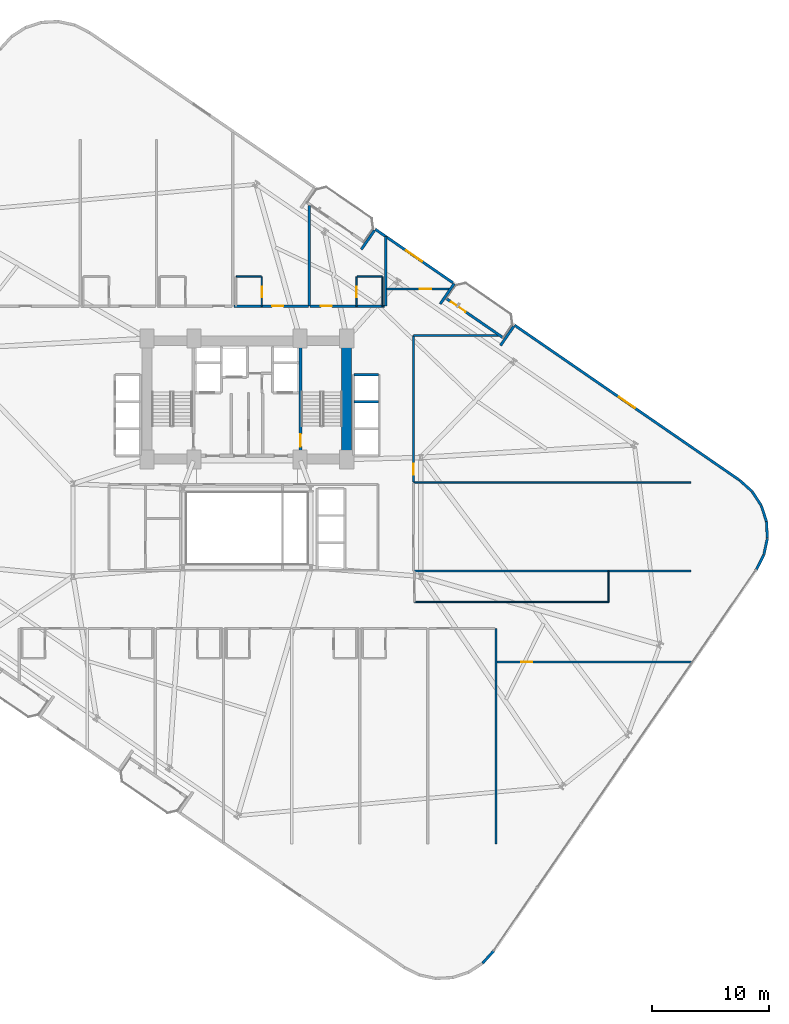
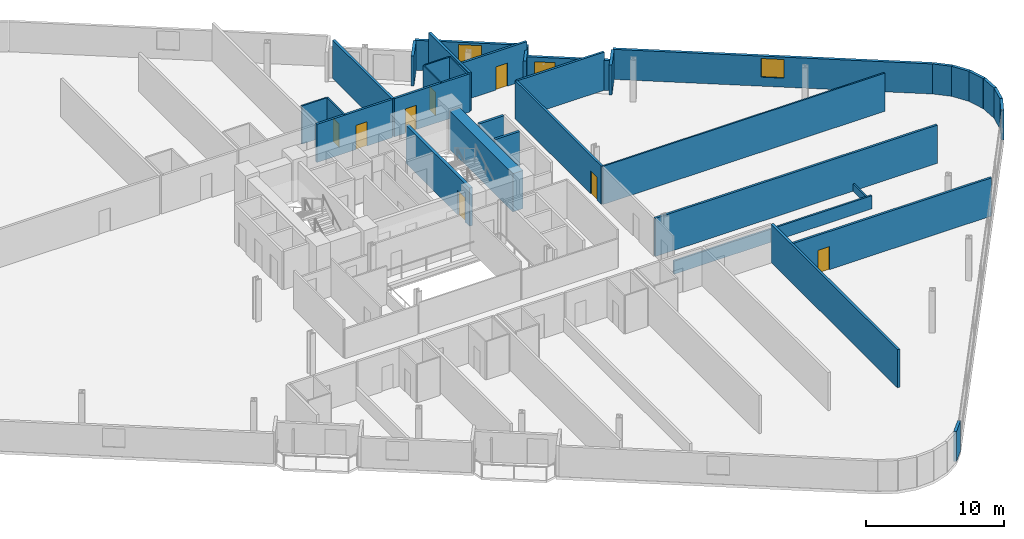
# One storey, part 20 of 24: 35 walls, 9 doors, 2 windows, 11 openings.
"""IFC4 building model written with IfcOpenShell, lengths in metres."""

from ifc_helpers import new_model, si_unit, direction, frame, frame_2d, origin, place, context, subcontext, project, spatial, rectangle, extrude, material, layer, layer_set, type_object, element, fill, save


model = new_model("IFC4")

# Units and contexts
model_context = context("Model", 3, precision=1e-05, world=origin(), true_north=direction((0.0, 1.0)))
body_context = subcontext(model_context, "Body", "Model", "MODEL_VIEW")
ifc_project = project(units=[si_unit("LENGTHUNIT", "METRE"), si_unit("AREAUNIT", "SQUARE_METRE"), si_unit("VOLUMEUNIT", "CUBIC_METRE"), si_unit("PLANEANGLEUNIT", "RADIAN"), si_unit("MASSUNIT", "GRAM", prefix="KILO")], contexts=[model_context])

# Site, building, storey
site_placement = place(None, origin())
site = spatial("IfcSite", under=ifc_project, at=site_placement, CompositionType="ELEMENT")
building_placement = place(site_placement, origin())
building = spatial("IfcBuilding", under=site, at=building_placement, Name="Varnelok Gate Tower", CompositionType="ELEMENT")
storey_placement = place(building_placement, frame((0.0, 0.0, 67.699951171875)))
storey = spatial("IfcBuildingStorey", under=building, at=storey_placement, Name="L16", CompositionType="ELEMENT", Elevation=67.699951171875)

# Wall, opening, door
ifc_material_1 = material(Name="Concrete C45/55", Category="concrete")
ifc_layer_1 = layer(ifc_material_1, 0.219970703125)
ifc_layer_set_1 = layer_set([ifc_layer_1], Name="Concrete C45/55")
wall_type_1 = type_object("IfcWallType", Name="EW-BALC-220", PredefinedType="SOLIDWALL", material=ifc_layer_set_1)
wall_1_placement = place(storey_placement, frame((56.131591796875, 42.476318359375, 0.0), z_axis=(0.0, 0.0, 1.0), x_axis=(0.823534636215, -0.567265989598, 0.0)))
wall_1 = element("IfcWall", 1, at=wall_1_placement, inside=storey, type_object=wall_type_1, Name="L16 North Terrace Envelope Wall 4", PredefinedType="SOLIDWALL", context=body_context, shape_type="SweptSolid", body=[
    extrude(rectangle(XDim=6.0, YDim=0.219970703125, at=frame_2d((3.0, 0.0))), origin(), (0.0, 0.0, 1.0), 2.66015625),
])
opening_1_placement = place(wall_1_placement, frame((0.548095703125, 0.0, 0.0)))
opening_1 = element("IfcOpeningElement", 2, at=opening_1_placement, cuts=wall_1, Name="Opening BD-1", PredefinedType="OPENING", context=body_context, shape_type="SweptSolid", body=[
    extrude(rectangle(XDim=1.5, YDim=2.25, at=frame_2d((0.75, 1.125))), frame((0.0, 0.119873046875, 0.0), z_axis=(0.0, -1.0, 0.0), x_axis=(1.0, 0.0, 0.0)), (0.0, 0.0, 1.0), 0.239990234375),
])
ifc_material_2 = material(Name="Anodized Aluminum Alloy 6063-T6", Category="aluminium")
door_type_1 = type_object("IfcDoorType", Name="DR-EXT-BALC1500", OperationType="NOTDEFINED", PredefinedType="DOOR", material=ifc_material_2)
door_1_placement = place(opening_1_placement, origin())
door_1 = element("IfcDoor", 3, at=door_1_placement, inside=storey, type_object=door_type_1, Name="L16 North Balcony Glazed Door 4", OperationType="SINGLE_SWING_LEFT", OverallHeight=2.25, OverallWidth=1.5, PredefinedType="DOOR", context=body_context, shape_type="SweptSolid", body=[
    extrude(rectangle(XDim=1.5, YDim=2.25, at=frame_2d((0.75, 1.125))), frame((0.0, 0.02490234375, 0.0), z_axis=(0.0, -1.0, 0.0), x_axis=(1.0, 0.0, 0.0)), (0.0, 0.0, 1.0), 0.050048828125),
])
fill(opening_1, door_1)

# Walls
wall_2_placement = place(storey_placement, frame((59.26611328125, -14.13525390625, 0.0), z_axis=(0.0, 0.0, 1.0), x_axis=(0.669866433955, 0.742481623113, 0.0)))
element("IfcWall", 4, at=wall_2_placement, inside=storey, type_object=wall_type_1, Name="L16 Perimeter Facade Closure Wall 19", PredefinedType="SOLIDWALL", context=body_context, shape_type="SweptSolid", body=[
    extrude(rectangle(XDim=1.4052734375, YDim=0.219970703125, at=frame_2d((0.70263671875, 0.0))), origin(), (0.0, 0.0, 1.0), 2.66015625),
])
wall_3_placement = place(storey_placement, frame((82.55810546875, 19.355224609375, 0.0), z_axis=(0.0, 0.0, 1.0), x_axis=(0.454777156549, 0.890605264908, 0.0)))
element("IfcWall", 5, at=wall_3_placement, inside=storey, type_object=wall_type_1, Name="L16 Perimeter Facade Closure Wall 20", PredefinedType="SOLIDWALL", context=body_context, shape_type="SweptSolid", body=[
    extrude(rectangle(XDim=1.43017578125, YDim=0.219970703125, at=frame_2d((0.715087890625, 0.0))), origin(), (0.0, 0.0, 1.0), 2.66015625),
])
wall_4_placement = place(storey_placement, frame((83.2138671875, 20.653564453125, 0.0), z_axis=(0.0, 0.0, 1.0), x_axis=(0.208829011645, 0.977952168511, 0.0)))
element("IfcWall", 6, at=wall_4_placement, inside=storey, type_object=wall_type_1, Name="L16 Perimeter Facade Closure Wall 21", PredefinedType="SOLIDWALL", context=body_context, shape_type="SweptSolid", body=[
    extrude(rectangle(XDim=1.4052734375, YDim=0.219970703125, at=frame_2d((0.70263671875, 0.0))), origin(), (0.0, 0.0, 1.0), 2.66015625),
])
wall_5_placement = place(storey_placement, frame((83.506103515625, 22.052734375, 0.0), z_axis=(0.0, 0.0, 1.0), x_axis=(-0.051245849735, 0.998686068234, 0.0)))
element("IfcWall", 7, at=wall_5_placement, inside=storey, type_object=wall_type_1, Name="L16 Perimeter Facade Closure Wall 22", PredefinedType="SOLIDWALL", context=body_context, shape_type="SweptSolid", body=[
    extrude(rectangle(XDim=1.405517578125, YDim=0.219970703125, at=frame_2d((0.70263671875, 0.0))), origin(), (0.0, 0.0, 1.0), 2.66015625),
])
for number, where, z_axis, x_axis, name in (
    (8, (83.426513671875, 23.47998046875, 0.0), (0.0, 0.0, 1.0), (-0.308033059501, 0.951375653596, 0.0), "L16 Perimeter Facade Closure Wall 23"),
    (9, (82.97998046875, 24.837890625, 0.0), (0.0, 0.0, 1.0), (-0.543748195851, 0.839248413468, 0.0), "L16 Perimeter Facade Closure Wall 24"),
):
    element("IfcWall", number, at=place(storey_placement, frame(where, z_axis=z_axis, x_axis=x_axis)), inside=storey, type_object=wall_type_1, Name=name, PredefinedType="SOLIDWALL", context=body_context, shape_type="SweptSolid", body=[
        extrude(rectangle(XDim=1.4052734375, YDim=0.219970703125, at=frame_2d((0.70263671875, 0.0))), origin(), (0.0, 0.0, 1.0), 2.66015625),
    ])
wall_6_placement = place(storey_placement, frame((82.197265625, 26.033935546875, 0.0), z_axis=(0.0, 0.0, 1.0), x_axis=(-0.742374254638, 0.669985422268, 0.0)))
element("IfcWall", 10, at=wall_6_placement, inside=storey, type_object=wall_type_1, Name="L16 Perimeter Facade Closure Wall 25", PredefinedType="SOLIDWALL", context=body_context, shape_type="SweptSolid", body=[
    extrude(rectangle(XDim=1.4130859375, YDim=0.219970703125, at=frame_2d((0.70654296875, 0.0))), origin(), (0.0, 0.0, 1.0), 2.66015625),
])

# Wall, opening, window
wall_7_placement = place(storey_placement, frame((81.12744140625, 26.994873046875, 0.0), z_axis=(0.0, 0.0, 1.0), x_axis=(-0.823530169317, 0.567272474411, 0.0)))
wall_7 = element("IfcWall", 11, at=wall_7_placement, inside=storey, type_object=wall_type_1, Name="L16 Perimeter Facade Closure Wall 26", PredefinedType="SOLIDWALL", context=body_context, shape_type="SweptSolid", body=[
    extrude(rectangle(XDim=23.247314453125, YDim=0.219970703125, at=frame_2d((11.62353515625, 0.0))), origin(), (0.0, 0.0, 1.0), 2.66015625),
])
opening_2_placement = place(wall_7_placement, frame((10.798583984375, 0.0, 0.800048828125)))
opening_2 = element("IfcOpeningElement", 12, at=opening_2_placement, cuts=wall_7, Name="Opening WN3", PredefinedType="OPENING", context=body_context, shape_type="SweptSolid", body=[
    extrude(rectangle(XDim=1.64990234375, YDim=1.64990234375, at=frame_2d((0.824951171875, 0.824951171875))), frame((0.0, 0.119873046875, 0.0), z_axis=(0.0, -1.0, 0.0), x_axis=(1.0, 0.0, 0.0)), (0.0, 0.0, 1.0), 0.239990234375),
])
ifc_material_3 = material(Name="Low-E Laminated Double Glazing IGU", Category="glass")
window_type = type_object("IfcWindowType", Name="WN-HTL-1650", PartitioningType="SINGLE_PANEL", PredefinedType="WINDOW", material=ifc_material_3)
window_1_placement = place(opening_2_placement, origin())
window_1 = element("IfcWindow", 13, at=window_1_placement, inside=storey, type_object=window_type, Name="L16 Perimeter Vision Window 26", OverallHeight=1.64990234375, OverallWidth=1.64990234375, PartitioningType="SINGLE_PANEL", PredefinedType="WINDOW", context=body_context, shape_type="SweptSolid", body=[
    extrude(rectangle(XDim=1.64990234375, YDim=1.64990234375, at=frame_2d((0.824951171875, 0.824951171875))), frame((0.0, 0.030029296875, 0.0), z_axis=(0.0, -1.0, 0.0), x_axis=(1.0, 0.0, 0.0)), (0.0, 0.0, 1.0), 0.06005859375),
])
fill(opening_2, window_1)

# Walls
wall_8_placement = place(storey_placement, frame((61.91162109375, 40.079345703125, 0.0), z_axis=(0.0, 0.0, 1.0), x_axis=(-0.567189720735, -0.82358716642, 0.0)))
element("IfcWall", 14, at=wall_8_placement, inside=storey, type_object=wall_type_1, Name="L16 Perimeter Facade Closure Wall 27", PredefinedType="SOLIDWALL", context=body_context, shape_type="SweptSolid", body=[
    extrude(rectangle(XDim=1.974853515625, YDim=0.219970703125, at=frame_2d((0.9873046875, 0.0))), origin(), (0.0, 0.0, 1.0), 2.66015625),
])
wall_9_placement = place(storey_placement, frame((55.652587890625, 41.99267578125, 0.0), z_axis=(0.0, 0.0, 1.0), x_axis=(0.567273696173, 0.823529327729, 0.0)))
element("IfcWall", 15, at=wall_9_placement, inside=storey, type_object=wall_type_1, Name="L16 Perimeter Facade Closure Wall 28", PredefinedType="SOLIDWALL", context=body_context, shape_type="SweptSolid", body=[
    extrude(rectangle(XDim=2.099853515625, YDim=0.219970703125, at=frame_2d((1.0498046875, 0.0))), origin(), (0.0, 0.0, 1.0), 2.66015625),
])

# Wall, opening, window
wall_10_placement = place(storey_placement, frame((56.740966796875, 43.79296875, 0.0), z_axis=(0.0, 0.0, 1.0), x_axis=(-0.823530942962, 0.56727135128, 0.0)))
wall_10 = element("IfcWall", 16, at=wall_10_placement, inside=storey, type_object=wall_type_1, Name="L16 Perimeter Facade Closure Wall 29", PredefinedType="SOLIDWALL", context=body_context, shape_type="SweptSolid", body=[
    extrude(rectangle(XDim=8.03515625, YDim=0.219970703125, at=frame_2d((4.017578125, 0.0))), origin(), (0.0, 0.0, 1.0), 2.66015625),
])
opening_3_placement = place(wall_10_placement, frame((3.1923828125, 0.0, 0.800048828125)))
opening_3 = element("IfcOpeningElement", 17, at=opening_3_placement, cuts=wall_10, Name="Opening WN3", PredefinedType="OPENING", context=body_context, shape_type="SweptSolid", body=[
    extrude(rectangle(XDim=1.64990234375, YDim=1.64990234375, at=frame_2d((0.824951171875, 0.824951171875))), frame((0.0, 0.119873046875, 0.0), z_axis=(0.0, -1.0, 0.0), x_axis=(1.0, 0.0, 0.0)), (0.0, 0.0, 1.0), 0.239990234375),
])
window_2_placement = place(opening_3_placement, origin())
window_2 = element("IfcWindow", 18, at=window_2_placement, inside=storey, type_object=window_type, Name="L16 Perimeter Vision Window 29", OverallHeight=1.64990234375, OverallWidth=1.64990234375, PartitioningType="SINGLE_PANEL", PredefinedType="WINDOW", context=body_context, shape_type="SweptSolid", body=[
    extrude(rectangle(XDim=1.64990234375, YDim=1.64990234375, at=frame_2d((0.824951171875, 0.824951171875))), frame((0.0, 0.030029296875, 0.0), z_axis=(0.0, -1.0, 0.0), x_axis=(1.0, 0.0, 0.0)), (0.0, 0.0, 1.0), 0.06005859375),
])
fill(opening_3, window_2)

# Wall
wall_11_placement = place(storey_placement, frame((50.052978515625, 48.248046875, 0.0), z_axis=(0.0, 0.0, 1.0), x_axis=(-0.567273565974, -0.823529417415, 0.0)))
element("IfcWall", 19, at=wall_11_placement, inside=storey, type_object=wall_type_1, Name="L16 Perimeter Facade Closure Wall 30", PredefinedType="SOLIDWALL", context=body_context, shape_type="SweptSolid", body=[
    extrude(rectangle(XDim=1.97509765625, YDim=0.219970703125, at=frame_2d((0.987548828125, 0.0))), origin(), (0.0, 0.0, 1.0), 2.66015625),
])

# Wall, opening, door
ifc_material_4 = material(Name="Gypsum Plasterboard Acoustic Partition", Category="gypsum")
ifc_layer_2 = layer(ifc_material_4, 0.179931640625)
ifc_layer_set_2 = layer_set([ifc_layer_2], Name="Gypsum Plasterboard Acoustic Partition")
wall_type_2 = type_object("IfcWallType", Name="PW-CORR-180", PredefinedType="PARTITIONING", material=ifc_layer_set_2)
wall_12_placement = place(storey_placement, frame((60.47998046875, 11.5, 0.0), z_axis=(0.0, 0.0, 1.0), x_axis=(1.0, 0.0, 0.0)))
wall_12 = element("IfcWall", 20, at=wall_12_placement, inside=storey, type_object=wall_type_2, Name="Interior Partition", PredefinedType="PARTITIONING", context=body_context, shape_type="SweptSolid", body=[
    extrude(rectangle(XDim=16.60400390625, YDim=0.179931640625, at=frame_2d((8.302001953125, 0.0))), origin(), (0.0, 0.0, 1.0), 3.380126953125),
])
opening_4_placement = place(wall_12_placement, frame((2.06494140625, 0.0, 0.0)))
opening_4 = element("IfcOpeningElement", 21, at=opening_4_placement, cuts=wall_12, Name="Opening D-I2", PredefinedType="OPENING", context=body_context, shape_type="SweptSolid", body=[
    extrude(rectangle(XDim=0.949951171875, YDim=2.050048828125, at=frame_2d((0.47509765625, 1.02490234375))), frame((0.0, 0.099853515625, 0.0), z_axis=(0.0, -1.0, 0.0), x_axis=(1.0, 0.0, 0.0)), (0.0, 0.0, 1.0), 0.199951171875),
])
ifc_material_5 = material(Name="Engineered Hardwood Timber", Category="wood")
door_type_2 = type_object("IfcDoorType", Name="DR-INT-950", OperationType="NOTDEFINED", PredefinedType="DOOR", material=ifc_material_5)
door_2_placement = place(opening_4_placement, origin())
door_2 = element("IfcDoor", 22, at=door_2_placement, inside=storey, type_object=door_type_2, Name="L16 Hotel Business Center Door", OperationType="SINGLE_SWING_LEFT", OverallHeight=2.050048828125, OverallWidth=0.949951171875, PredefinedType="DOOR", context=body_context, shape_type="SweptSolid", body=[
    extrude(rectangle(XDim=0.949951171875, YDim=2.050048828125, at=frame_2d((0.47509765625, 1.02490234375))), frame((0.0, 0.02490234375, 0.0), z_axis=(0.0, -1.0, 0.0), x_axis=(1.0, 0.0, 0.0)), (0.0, 0.0, 1.0), 0.050048828125),
])
fill(opening_4, door_2)

wall_13_placement = place(storey_placement, frame((38.080078125, 41.800048828125, 0.0), z_axis=(0.0, 0.0, 1.0), x_axis=(1.0, 0.0, 0.0)))
wall_13 = element("IfcWall", 23, at=wall_13_placement, inside=storey, type_object=wall_type_2, Name="Interior Partition", PredefinedType="PARTITIONING", context=body_context, shape_type="SweptSolid", body=[
    extrude(rectangle(XDim=6.33984375, YDim=0.179931640625, at=frame_2d((3.169921875, 0.0))), origin(), (0.0, 0.0, 1.0), 3.380126953125),
])
opening_5_placement = place(wall_13_placement, frame((3.273681640625, 0.0, 0.0)))
opening_5 = element("IfcOpeningElement", 24, at=opening_5_placement, cuts=wall_13, Name="Opening D-HT", PredefinedType="OPENING", context=body_context, shape_type="SweptSolid", body=[
    extrude(rectangle(XDim=0.949951171875, YDim=2.14990234375, at=frame_2d((0.47509765625, 1.074951171875))), frame((0.0, 0.099853515625, 0.0), z_axis=(0.0, -1.0, 0.0), x_axis=(1.0, 0.0, 0.0)), (0.0, 0.0, 1.0), 0.199951171875),
])
door_type_3 = type_object("IfcDoorType", Name="DR-HTL-950", OperationType="NOTDEFINED", PredefinedType="DOOR", material=ifc_material_5)
door_3_placement = place(opening_5_placement, origin())
door_3 = element("IfcDoor", 25, at=door_3_placement, inside=storey, type_object=door_type_3, Name="L16 Guest Room 14 Entrance Door", OperationType="SINGLE_SWING_LEFT", OverallHeight=2.14990234375, OverallWidth=0.949951171875, PredefinedType="DOOR", context=body_context, shape_type="SweptSolid", body=[
    extrude(rectangle(XDim=0.949951171875, YDim=2.14990234375, at=frame_2d((0.47509765625, 1.074951171875))), frame((0.0, 0.02490234375, 0.0), z_axis=(0.0, -1.0, 0.0), x_axis=(1.0, 0.0, 0.0)), (0.0, 0.0, 1.0), 0.050048828125),
])
fill(opening_5, door_3)

wall_14_placement = place(storey_placement, frame((44.580078125, 41.800048828125, 0.0), z_axis=(0.0, 0.0, 1.0), x_axis=(1.0, 0.0, 0.0)))
wall_14 = element("IfcWall", 26, at=wall_14_placement, inside=storey, type_object=wall_type_2, Name="Interior Partition", PredefinedType="PARTITIONING", context=body_context, shape_type="SweptSolid", body=[
    extrude(rectangle(XDim=6.33984375, YDim=0.179931640625, at=frame_2d((3.169921875, 0.0))), origin(), (0.0, 0.0, 1.0), 3.380126953125),
])
opening_6_placement = place(wall_14_placement, frame((0.90966796875, 0.0, 0.0)))
opening_6 = element("IfcOpeningElement", 27, at=opening_6_placement, cuts=wall_14, Name="Opening D-HT", PredefinedType="OPENING", context=body_context, shape_type="SweptSolid", body=[
    extrude(rectangle(XDim=0.949951171875, YDim=2.14990234375, at=frame_2d((0.47509765625, 1.074951171875))), frame((0.0, 0.099853515625, 0.0), z_axis=(0.0, -1.0, 0.0), x_axis=(1.0, 0.0, 0.0)), (0.0, 0.0, 1.0), 0.199951171875),
])
door_4_placement = place(opening_6_placement, origin())
door_4 = element("IfcDoor", 28, at=door_4_placement, inside=storey, type_object=door_type_3, Name="L16 Guest Room 15 Entrance Door", OperationType="SINGLE_SWING_RIGHT", OverallHeight=2.14990234375, OverallWidth=0.949951171875, PredefinedType="DOOR", context=body_context, shape_type="SweptSolid", body=[
    extrude(rectangle(XDim=0.949951171875, YDim=2.14990234375, at=frame_2d((0.47509765625, 1.074951171875))), frame((0.0, 0.02490234375, 0.0), z_axis=(0.0, -1.0, 0.0), x_axis=(1.0, 0.0, 0.0)), (0.0, 0.0, 1.0), 0.050048828125),
])
fill(opening_6, door_4)

wall_15_placement = place(storey_placement, frame((51.080078125, 43.25, 0.0), z_axis=(0.0, 0.0, 1.0), x_axis=(1.0, 0.0, 0.0)))
wall_15 = element("IfcWall", 29, at=wall_15_placement, inside=storey, type_object=wall_type_2, Name="Interior Partition", PredefinedType="PARTITIONING", context=body_context, shape_type="SweptSolid", body=[
    extrude(rectangle(XDim=5.414306640625, YDim=0.179931640625, at=frame_2d((2.70703125, 0.0))), origin(), (0.0, 0.0, 1.0), 3.380126953125),
])
opening_7_placement = place(wall_15_placement, frame((2.844482421875, 0.0, 0.0)))
opening_7 = element("IfcOpeningElement", 30, at=opening_7_placement, cuts=wall_15, Name="Opening D-I2", PredefinedType="OPENING", context=body_context, shape_type="SweptSolid", body=[
    extrude(rectangle(XDim=0.949951171875, YDim=2.050048828125, at=frame_2d((0.47509765625, 1.02490234375))), frame((0.0, 0.099853515625, 0.0), z_axis=(0.0, -1.0, 0.0), x_axis=(1.0, 0.0, 0.0)), (0.0, 0.0, 1.0), 0.199951171875),
])
door_5_placement = place(opening_7_placement, origin())
door_5 = element("IfcDoor", 31, at=door_5_placement, inside=storey, type_object=door_type_2, Name="L16 Children Playroom Door", OperationType="SINGLE_SWING_LEFT", OverallHeight=2.050048828125, OverallWidth=0.949951171875, PredefinedType="DOOR", context=body_context, shape_type="SweptSolid", body=[
    extrude(rectangle(XDim=0.949951171875, YDim=2.050048828125, at=frame_2d((0.47509765625, 1.02490234375))), frame((0.0, 0.02490234375, 0.0), z_axis=(0.0, -1.0, 0.0), x_axis=(1.0, 0.0, 0.0)), (0.0, 0.0, 1.0), 0.050048828125),
])
fill(opening_7, door_5)

# Wall
wall_16_placement = place(storey_placement, frame((53.389892578125, 19.239990234375, 0.0), z_axis=(0.0, 0.0, 1.0), x_axis=(1.0, 0.0, 0.0)))
element("IfcWall", 32, at=wall_16_placement, inside=storey, type_object=wall_type_2, Name="Interior Partition", PredefinedType="PARTITIONING", context=body_context, shape_type="SweptSolid", body=[
    extrude(rectangle(XDim=23.610107421875, YDim=0.179931640625, at=frame_2d((11.80517578125, 0.0))), origin(), (0.0, 0.0, 1.0), 3.380126953125),
])

# Wall, opening, door
wall_17_placement = place(storey_placement, frame((53.389892578125, 26.840087890625, 0.0), z_axis=(0.0, 0.0, 1.0), x_axis=(0.0, 1.0, 0.0)))
wall_17 = element("IfcWall", 33, at=wall_17_placement, inside=storey, type_object=wall_type_2, Name="Interior Partition", PredefinedType="PARTITIONING", context=body_context, shape_type="SweptSolid", body=[
    extrude(rectangle(XDim=12.4599609375, YDim=0.179931640625, at=frame_2d((6.22998046875, 0.0))), origin(), (0.0, 0.0, 1.0), 3.380126953125),
])
opening_8_placement = place(wall_17_placement, frame((0.6181640625, 0.0, 0.0)))
opening_8 = element("IfcOpeningElement", 34, at=opening_8_placement, cuts=wall_17, Name="Opening D-I3", PredefinedType="OPENING", context=body_context, shape_type="SweptSolid", body=[
    extrude(rectangle(XDim=0.919921875, YDim=2.050048828125, at=frame_2d((0.4599609375, 1.02490234375))), frame((0.0, 0.099853515625, 0.0), z_axis=(0.0, -1.0, 0.0), x_axis=(1.0, 0.0, 0.0)), (0.0, 0.0, 1.0), 0.199951171875),
])
door_type_4 = type_object("IfcDoorType", Name="DR-INT-920", OperationType="NOTDEFINED", PredefinedType="DOOR", material=ifc_material_5)
door_6_placement = place(opening_8_placement, origin())
door_6 = element("IfcDoor", 35, at=door_6_placement, inside=storey, type_object=door_type_4, Name="L16 East Playroom Door", OperationType="SINGLE_SWING_LEFT", OverallHeight=2.050048828125, OverallWidth=0.919921875, PredefinedType="DOOR", context=body_context, shape_type="SweptSolid", body=[
    extrude(rectangle(XDim=0.919921875, YDim=2.050048828125, at=frame_2d((0.4599609375, 1.02490234375))), frame((0.0, 0.02490234375, 0.0), z_axis=(0.0, -1.0, 0.0), x_axis=(1.0, 0.0, 0.0)), (0.0, 0.0, 1.0), 0.050048828125),
])
fill(opening_8, door_6)

# Walls
wall_18_placement = place(storey_placement, frame((53.389892578125, 39.300048828125, 0.0), z_axis=(0.0, 0.0, 1.0), x_axis=(1.0, 0.0, 0.0)))
element("IfcWall", 36, at=wall_18_placement, inside=storey, type_object=wall_type_2, Name="Interior Partition", PredefinedType="PARTITIONING", context=body_context, shape_type="SweptSolid", body=[
    extrude(rectangle(XDim=7.31298828125, YDim=0.179931640625, at=frame_2d((3.656494140625, 0.0))), origin(), (0.0, 0.0, 1.0), 3.380126953125),
])
ifc_layer_3 = layer(ifc_material_4, 0.114990234375)
ifc_layer_set_3 = layer_set([ifc_layer_3], Name="Gypsum Plasterboard Acoustic Partition")
wall_type_3 = type_object("IfcWallType", Name="PW-ENS-125", PredefinedType="PARTITIONING", material=ifc_layer_set_3)
wall_19_placement = place(storey_placement, frame((38.300048828125, 44.320068359375, 0.0), z_axis=(0.0, 0.0, 1.0), x_axis=(1.0, 0.0, 0.0)))
element("IfcWall", 37, at=wall_19_placement, inside=storey, type_object=wall_type_3, Name="Interior Partition", PredefinedType="PARTITIONING", context=body_context, shape_type="SweptSolid", body=[
    extrude(rectangle(XDim=2.1240234375, YDim=0.114990234375, at=frame_2d((1.06201171875, 0.0))), origin(), (0.0, 0.0, 1.0), 3.380126953125),
])

# Wall, opening, door
wall_20_placement = place(storey_placement, frame((40.464111328125, 41.800048828125, 0.0), z_axis=(0.0, 0.0, 1.0), x_axis=(0.0, 1.0, 0.0)))
wall_20 = element("IfcWall", 38, at=wall_20_placement, inside=storey, type_object=wall_type_3, Name="Interior Partition", PredefinedType="PARTITIONING", context=body_context, shape_type="SweptSolid", body=[
    extrude(rectangle(XDim=2.52001953125, YDim=0.114990234375, at=frame_2d((1.260009765625, 0.0))), origin(), (0.0, 0.0, 1.0), 3.380126953125),
])
opening_9_placement = place(wall_20_placement, frame((0.760009765625, 0.0, 0.0)))
opening_9 = element("IfcOpeningElement", 39, at=opening_9_placement, cuts=wall_20, Name="Opening D-WC", PredefinedType="OPENING", context=body_context, shape_type="SweptSolid", body=[
    extrude(rectangle(XDim=0.89990234375, YDim=2.050048828125, at=frame_2d((0.449951171875, 1.02490234375))), frame((0.0, 0.0673828125, 0.0), z_axis=(0.0, -1.0, 0.0), x_axis=(1.0, 0.0, 0.0)), (0.0, 0.0, 1.0), 0.135009765625),
])
door_type_5 = type_object("IfcDoorType", Name="DR-BATH-900", OperationType="NOTDEFINED", PredefinedType="DOOR", material=ifc_material_5)
door_7_placement = place(opening_9_placement, origin())
door_7 = element("IfcDoor", 40, at=door_7_placement, inside=storey, type_object=door_type_5, Name="L16 North En-Suite 14 Door", OperationType="SINGLE_SWING_RIGHT", OverallHeight=2.050048828125, OverallWidth=0.89990234375, PredefinedType="DOOR", context=body_context, shape_type="SweptSolid", body=[
    extrude(rectangle(XDim=0.89990234375, YDim=2.050048828125, at=frame_2d((0.449951171875, 1.02490234375))), frame((0.0, 0.02490234375, 0.0), z_axis=(0.0, -1.0, 0.0), x_axis=(1.0, 0.0, 0.0)), (0.0, 0.0, 1.0), 0.050048828125),
])
fill(opening_9, door_7)

# Wall
wall_21_placement = place(storey_placement, frame((48.575927734375, 44.320068359375, 0.0), z_axis=(0.0, 0.0, 1.0), x_axis=(1.0, 0.0, 0.0)))
element("IfcWall", 41, at=wall_21_placement, inside=storey, type_object=wall_type_3, Name="Interior Partition", PredefinedType="PARTITIONING", context=body_context, shape_type="SweptSolid", body=[
    extrude(rectangle(XDim=2.1240234375, YDim=0.114990234375, at=frame_2d((1.06201171875, 0.0))), origin(), (0.0, 0.0, 1.0), 3.380126953125),
])

# Wall, opening, door
wall_22_placement = place(storey_placement, frame((48.535888671875, 41.800048828125, 0.0), z_axis=(0.0, 0.0, 1.0), x_axis=(0.0, 1.0, 0.0)))
wall_22 = element("IfcWall", 42, at=wall_22_placement, inside=storey, type_object=wall_type_3, Name="Interior Partition", PredefinedType="PARTITIONING", context=body_context, shape_type="SweptSolid", body=[
    extrude(rectangle(XDim=2.52001953125, YDim=0.114990234375, at=frame_2d((1.260009765625, 0.0))), origin(), (0.0, 0.0, 1.0), 3.380126953125),
])
opening_10_placement = place(wall_22_placement, frame((0.760009765625, 0.0, 0.0)))
opening_10 = element("IfcOpeningElement", 43, at=opening_10_placement, cuts=wall_22, Name="Opening D-WC", PredefinedType="OPENING", context=body_context, shape_type="SweptSolid", body=[
    extrude(rectangle(XDim=0.89990234375, YDim=2.050048828125, at=frame_2d((0.449951171875, 1.02490234375))), frame((0.0, 0.0673828125, 0.0), z_axis=(0.0, -1.0, 0.0), x_axis=(1.0, 0.0, 0.0)), (0.0, 0.0, 1.0), 0.135009765625),
])
door_8_placement = place(opening_10_placement, origin())
door_8 = element("IfcDoor", 44, at=door_8_placement, inside=storey, type_object=door_type_5, Name="L16 North En-Suite 15 Door", OperationType="SINGLE_SWING_LEFT", OverallHeight=2.050048828125, OverallWidth=0.89990234375, PredefinedType="DOOR", context=body_context, shape_type="SweptSolid", body=[
    extrude(rectangle(XDim=0.89990234375, YDim=2.050048828125, at=frame_2d((0.449951171875, 1.02490234375))), frame((0.0, 0.02490234375, 0.0), z_axis=(0.0, -1.0, 0.0), x_axis=(1.0, 0.0, 0.0)), (0.0, 0.0, 1.0), 0.050048828125),
])
fill(opening_10, door_8)

# Walls
wall_23_placement = place(storey_placement, frame((50.739990234375, 41.800048828125, 0.0), z_axis=(0.0, 0.0, 1.0), x_axis=(0.0, 1.0, 0.0)))
element("IfcWall", 45, at=wall_23_placement, inside=storey, type_object=wall_type_3, Name="Interior Partition", PredefinedType="PARTITIONING", context=body_context, shape_type="SweptSolid", body=[
    extrude(rectangle(XDim=2.52001953125, YDim=0.114990234375, at=frame_2d((1.260009765625, 0.0))), origin(), (0.0, 0.0, 1.0), 3.380126953125),
])
ifc_layer_4 = layer(ifc_material_4, 0.125)
ifc_layer_set_4 = layer_set([ifc_layer_4], Name="Gypsum Plasterboard Acoustic Partition")
wall_type_4 = type_object("IfcWallType", Name="PW-PART-125", PredefinedType="PARTITIONING", material=ifc_layer_set_4)
wall_24_placement = place(storey_placement, frame((70.0, 16.610107421875, 0.0), z_axis=(0.0, 0.0, 1.0), x_axis=(0.0, 1.0, 0.0)))
element("IfcWall", 46, at=wall_24_placement, inside=storey, type_object=wall_type_4, Name="Interior Partition", PredefinedType="PARTITIONING", context=body_context, shape_type="SweptSolid", body=[
    extrude(rectangle(XDim=2.6298828125, YDim=0.125, at=frame_2d((1.31494140625, 0.0))), origin(), (0.0, 0.0, 1.0), 0.650146484375),
])
wall_25_placement = place(storey_placement, frame((53.389892578125, 26.800048828125, 0.0), z_axis=(0.0, 0.0, 1.0), x_axis=(1.0, 0.0, 0.0)))
element("IfcWall", 47, at=wall_25_placement, inside=storey, type_object=wall_type_4, Name="Interior Partition", PredefinedType="PARTITIONING", context=body_context, shape_type="SweptSolid", body=[
    extrude(rectangle(XDim=23.610107421875, YDim=0.125, at=frame_2d((11.80517578125, 0.0))), origin(), (0.0, 0.0, 1.0), 3.380126953125),
])
ifc_layer_5 = layer(ifc_material_4, 0.14990234375)
ifc_layer_set_5 = layer_set([ifc_layer_5], Name="Gypsum Plasterboard Acoustic Partition")
wall_type_5 = type_object("IfcWallType", Name="PW-PART-150", PredefinedType="PARTITIONING", material=ifc_layer_set_5)
wall_26_placement = place(storey_placement, frame((53.449951171875, 16.610107421875, 0.0), z_axis=(0.0, 0.0, 1.0), x_axis=(1.0, 0.0, 0.0)))
element("IfcWall", 48, at=wall_26_placement, inside=storey, type_object=wall_type_5, Name="Interior Partition", PredefinedType="PARTITIONING", context=body_context, shape_type="SweptSolid", body=[
    extrude(rectangle(XDim=16.550048828125, YDim=0.14990234375, at=frame_2d((8.27490234375, 0.0))), origin(), (0.0, 0.0, 1.0), 1.1650390625),
])
ifc_layer_6 = layer(ifc_material_4, 0.205078125)
ifc_layer_set_6 = layer_set([ifc_layer_6], Name="Gypsum Plasterboard Acoustic Partition")
wall_type_6 = type_object("IfcWallType", Name="PW-PARTY-200", PredefinedType="PARTITIONING", material=ifc_layer_set_6)
wall_27_placement = place(storey_placement, frame((60.39990234375, -4.0, 0.0), z_axis=(0.0, 0.0, 1.0), x_axis=(0.0, 1.0, 0.0)))
element("IfcWall", 49, at=wall_27_placement, inside=storey, type_object=wall_type_6, Name="L16 South Party Wall 9", PredefinedType="PARTITIONING", context=body_context, shape_type="SweptSolid", body=[
    extrude(rectangle(XDim=18.35009765625, YDim=0.205078125, at=frame_2d((9.175048828125, 0.0))), origin(), (0.0, 0.0, 1.0), 3.380126953125),
])
wall_28_placement = place(storey_placement, frame((44.5, 41.800048828125, 0.0), z_axis=(0.0, 0.0, 1.0), x_axis=(0.0, 1.0, 0.0)))
element("IfcWall", 50, at=wall_28_placement, inside=storey, type_object=wall_type_6, Name="L16 North Party Wall 4", PredefinedType="PARTITIONING", context=body_context, shape_type="SweptSolid", body=[
    extrude(rectangle(XDim=8.583251953125, YDim=0.205078125, at=frame_2d((4.29150390625, 0.0))), origin(), (0.0, 0.0, 1.0), 3.380126953125),
])
wall_29_placement = place(storey_placement, frame((51.0, 41.800048828125, 0.0), z_axis=(0.0, 0.0, 1.0), x_axis=(0.0, 1.0, 0.0)))
element("IfcWall", 51, at=wall_29_placement, inside=storey, type_object=wall_type_6, Name="L16 North Party Wall 5", PredefinedType="PARTITIONING", context=body_context, shape_type="SweptSolid", body=[
    extrude(rectangle(XDim=5.923095703125, YDim=0.205078125, at=frame_2d((2.96142578125, 0.0))), origin(), (0.0, 0.0, 1.0), 3.380126953125),
])
ifc_material_6 = material(Name="Concrete C35/45", Category="concrete")
ifc_layer_7 = layer(ifc_material_6, 0.199951171875)
ifc_layer_set_7 = layer_set([ifc_layer_7], Name="Concrete C35/45")
wall_type_7 = type_object("IfcWallType", Name="PW-SHAFT-200", PredefinedType="PARTITIONING", material=ifc_layer_set_7)
for number, where, z_axis, x_axis, name in (
    (52, (48.320068359375, 33.675048828125, 0.0), (0.0, 0.0, 1.0), (1.0, 0.0, 0.0), "L16 PM2 Divider"),
    (53, (48.320068359375, 35.969970703125, 0.0), (0.0, 0.0, 1.0), (1.0, 0.0, 0.0), "L16 PM Bank North Wall"),
):
    element("IfcWall", number, at=place(storey_placement, frame(where, z_axis=z_axis, x_axis=x_axis)), inside=storey, type_object=wall_type_7, Name=name, PredefinedType="PARTITIONING", context=body_context, shape_type="SweptSolid", body=[
        extrude(rectangle(XDim=2.059814453125, YDim=0.199951171875, at=frame_2d((1.02978515625, 0.0))), origin(), (0.0, 0.0, 1.0), 3.380126953125),
    ])
ifc_material_7 = material(Name="Concrete C70/85", Category="concrete")
ifc_layer_8 = layer(ifc_material_7, 0.85009765625)
ifc_layer_set_8 = layer_set([ifc_layer_8], Name="Concrete C70/85")
wall_type_8 = type_object("IfcWallType", Name="SW-CORE-850", PredefinedType="SHEAR", material=ifc_layer_set_8)
wall_30_placement = place(storey_placement, frame((47.695068359375, 29.199951171875, 0.0), z_axis=(0.0, 0.0, 1.0), x_axis=(0.0, 1.0, 0.0)))
element("IfcWall", 54, at=wall_30_placement, inside=storey, type_object=wall_type_8, Name="L16 Rear Core East Shear Wall", PredefinedType="SHEAR", context=body_context, shape_type="SweptSolid", body=[
    extrude(rectangle(XDim=9.219970703125, YDim=0.85009765625, at=frame_2d((4.60986328125, 0.0))), origin(), (0.0, 0.0, 1.0), 3.380126953125),
])

# Wall, opening, door
ifc_material_8 = material(Name="Concrete C60/75", Category="concrete")
ifc_layer_9 = layer(ifc_material_8, 0.25)
ifc_layer_set_9 = layer_set([ifc_layer_9], Name="Concrete C60/75")
wall_type_9 = type_object("IfcWallType", Name="SW-SHAFT-250", PredefinedType="SHEAR", material=ifc_layer_set_9)
wall_31_placement = place(storey_placement, frame((43.760009765625, 29.199951171875, 0.0), z_axis=(0.0, 0.0, 1.0), x_axis=(0.0, 1.0, 0.0)))
wall_31 = element("IfcWall", 55, at=wall_31_placement, inside=storey, type_object=wall_type_9, Name="L16 Stair ST-2 West Shear Wall", PredefinedType="SHEAR", context=body_context, shape_type="SweptSolid", body=[
    extrude(rectangle(XDim=9.219970703125, YDim=0.25, at=frame_2d((4.60986328125, 0.0))), origin(), (0.0, 0.0, 1.0), 3.380126953125),
])
opening_11_placement = place(wall_31_placement, frame((0.64990234375, 0.0, 0.0)))
opening_11 = element("IfcOpeningElement", 56, at=opening_11_placement, cuts=wall_31, Name="Opening D-ST", PredefinedType="OPENING", context=body_context, shape_type="SweptSolid", body=[
    extrude(rectangle(XDim=1.050048828125, YDim=2.14990234375, at=frame_2d((0.52490234375, 1.074951171875))), frame((0.0, 0.135009765625, 0.0), z_axis=(0.0, -1.0, 0.0), x_axis=(1.0, 0.0, 0.0)), (0.0, 0.0, 1.0), 0.27001953125),
])
ifc_material_9 = material(Name="Galvanized Steel Grade S350GD", Category="steel")
door_type_6 = type_object("IfcDoorType", Name="DR-STAIR-1050", OperationType="NOTDEFINED", PredefinedType="DOOR", material=ifc_material_9)
door_9_placement = place(opening_11_placement, origin())
door_9 = element("IfcDoor", 57, at=door_9_placement, inside=storey, type_object=door_type_6, Name="L16 Exit Stair ST-2 Fire Door", OperationType="SINGLE_SWING_RIGHT", OverallHeight=2.14990234375, OverallWidth=1.050048828125, PredefinedType="DOOR", context=body_context, shape_type="SweptSolid", body=[
    extrude(rectangle(XDim=1.050048828125, YDim=2.14990234375, at=frame_2d((0.52490234375, 1.074951171875))), frame((0.0, 0.02490234375, 0.0), z_axis=(0.0, -1.0, 0.0), x_axis=(1.0, 0.0, 0.0)), (0.0, 0.0, 1.0), 0.050048828125),
])
fill(opening_11, door_9)

save(model, "model.ifc")
